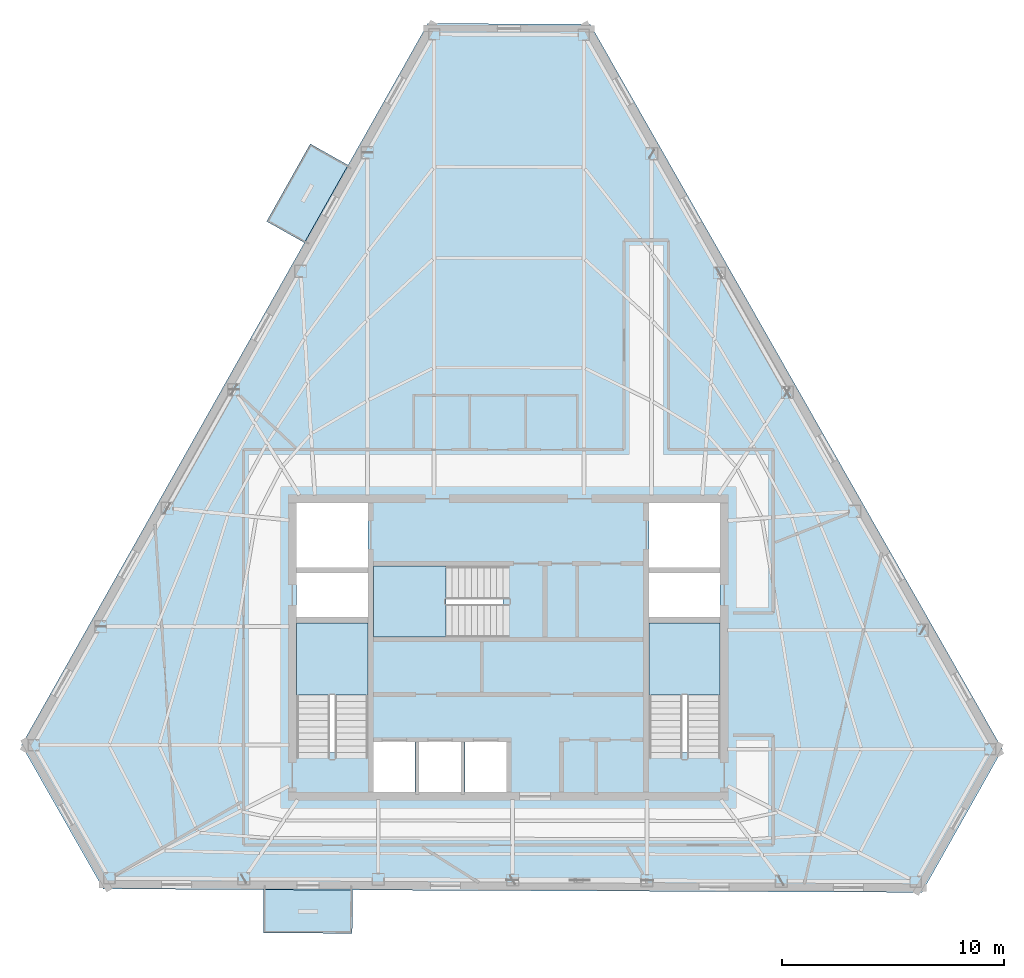
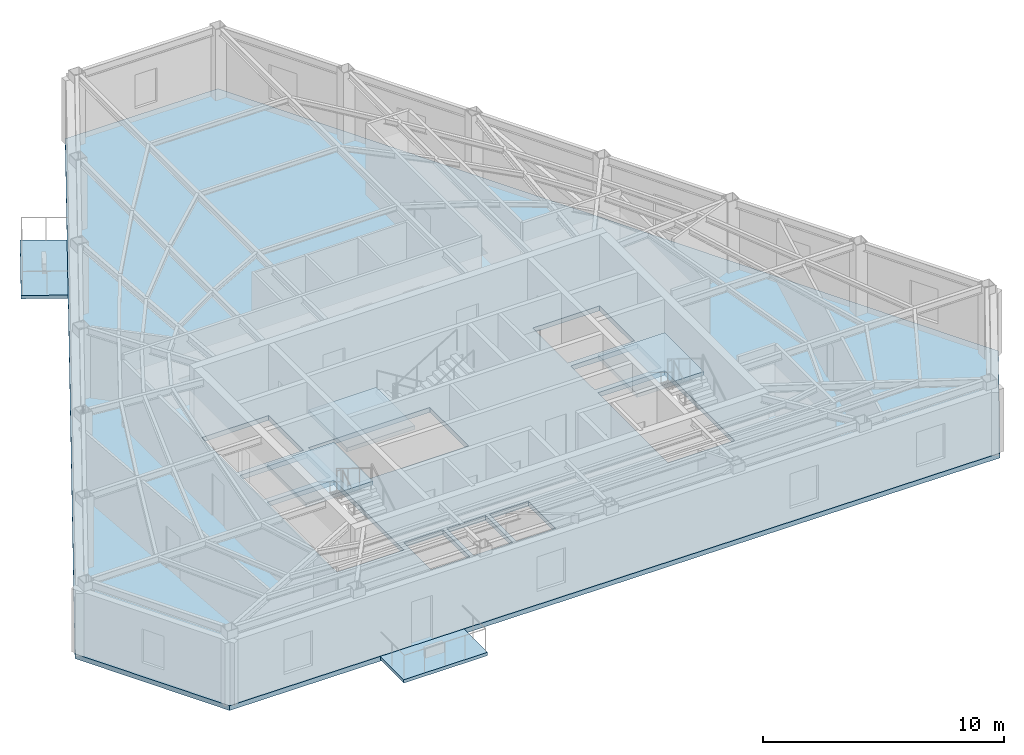
# One storey, part 3 of 10: 6 slabs, 3 elements without a shape of their own.
"""IFC4 building model written with IfcOpenShell, lengths in metres."""

from ifc_helpers import new_model, si_unit, direction, frame, origin, place, context, subcontext, project, spatial, polyline, outline, extrude, material, layer, layer_set, type_object, element, aggregate, save


model = new_model("IFC4")

# Units and contexts
model_context = context("Model", 3, precision=1e-05, world=origin(), true_north=direction((0.0, 1.0)))
body_context = subcontext(model_context, "Body", "Model", "MODEL_VIEW")
ifc_project = project(units=[si_unit("LENGTHUNIT", "METRE"), si_unit("AREAUNIT", "SQUARE_METRE"), si_unit("VOLUMEUNIT", "CUBIC_METRE"), si_unit("PLANEANGLEUNIT", "RADIAN"), si_unit("MASSUNIT", "GRAM", prefix="KILO")], contexts=[model_context])

# Site, building, storey
site_placement = place(None, origin())
site = spatial("IfcSite", under=ifc_project, at=site_placement, CompositionType="ELEMENT")
building_placement = place(site_placement, origin())
building = spatial("IfcBuilding", under=site, at=building_placement, Name="Kavelnor Concourse Tower", CompositionType="ELEMENT")
storey_placement = place(building_placement, frame((0.0, 0.0, 239.5)))
storey = spatial("IfcBuildingStorey", under=building, at=storey_placement, Name="L60", CompositionType="ELEMENT", Elevation=239.5)

# Slabs
ifc_material = material(Name="Concrete C40/50", Category="concrete")
ifc_layer_1 = layer(ifc_material, 0.169921875, Name="Concrete C40/50")
ifc_layer_set_1 = layer_set([ifc_layer_1], Name="Concrete C40/50")
slab_type_1 = type_object("IfcSlabType", Name="SLB-BALCONY-170", PredefinedType="FLOOR", material=ifc_layer_set_1)
slab_1_placement = place(storey_placement, frame((0.0, 0.0, -0.169921875)))
element("IfcSlab", 1, at=slab_1_placement, inside=storey, type_object=slab_type_1, Name="L60 Cantilevered Tree Balcony Slab 1", PredefinedType="FLOOR", context=body_context, shape_type="SweptSolid", body=[
    extrude(outline(polyline([(27.130615234375, 35.25048828125), (29.09326171875, 38.736083984375), (30.792236328125, 37.779296875), (28.829833984375, 34.293701171875), (27.130615234375, 35.25048828125)])), origin(), (0.0, 0.0, 1.0), 0.169921875),
])
slab_2_placement = place(storey_placement, frame((0.0, 0.0, -0.169921875)))
element("IfcSlab", 2, at=slab_2_placement, inside=storey, type_object=slab_type_1, Name="L60 Cantilevered Tree Balcony Slab 2", PredefinedType="FLOOR", context=body_context, shape_type="SweptSolid", body=[
    extrude(outline(polyline([(30.978759765625, 3.2431640625), (26.97900390625, 3.260009765625), (26.987060546875, 5.2099609375), (30.987060546875, 5.193115234375), (30.978759765625, 3.2431640625)])), origin(), (0.0, 0.0, 1.0), 0.169921875),
])

# Stair, slab
stair_type = type_object("IfcStairType", Name="STR-CORE-1500", PredefinedType="HALF_TURN_STAIR", material=ifc_material)
stair_1_placement = place(storey_placement, origin())
stair_1 = element("IfcStair", 3, at=stair_1_placement, inside=storey, type_object=stair_type, Name="L60 ST1", PredefinedType="HALF_TURN_STAIR")
ifc_layer_2 = layer(ifc_material, 0.199951171875, Name="Concrete C40/50")
ifc_layer_set_2 = layer_set([ifc_layer_2], Name="Concrete C40/50")
slab_type_2 = type_object("IfcSlabType", Name="SLB-LANDING-200", PredefinedType="LANDING", material=ifc_layer_set_2)
slab_3_placement = place(storey_placement, frame((0.0, 0.0, 1.72509765625)))
slab_3 = element("IfcSlab", 4, at=slab_3_placement, type_object=slab_type_2, Name="ST1 landing 1", PredefinedType="LANDING", context=body_context, shape_type="SweptSolid", body=[
    extrude(outline(polyline([(31.679931640625, 13.949951171875), (31.679931640625, 17.199951171875), (28.47998046875, 17.199951171875), (28.47998046875, 13.949951171875), (31.679931640625, 13.949951171875)])), origin(), (0.0, 0.0, 1.0), 0.199951171875),
])
aggregate(stair_1, [slab_3])

stair_2_placement = place(storey_placement, origin())
stair_2 = element("IfcStair", 5, at=stair_2_placement, inside=storey, type_object=stair_type, Name="L60 ST2", PredefinedType="HALF_TURN_STAIR")
slab_4_placement = place(storey_placement, frame((0.0, 0.0, 1.72509765625)))
slab_4 = element("IfcSlab", 6, at=slab_4_placement, type_object=slab_type_2, Name="ST2 landing 1", PredefinedType="LANDING", context=body_context, shape_type="SweptSolid", body=[
    extrude(outline(polyline([(47.52001953125, 13.949951171875), (47.52001953125, 17.199951171875), (44.320068359375, 17.199951171875), (44.320068359375, 13.949951171875), (47.52001953125, 13.949951171875)])), origin(), (0.0, 0.0, 1.0), 0.199951171875),
])
aggregate(stair_2, [slab_4])

stair_3_placement = place(storey_placement, origin())
stair_3 = element("IfcStair", 7, at=stair_3_placement, inside=storey, type_object=stair_type, Name="L60 ST3", PredefinedType="HALF_TURN_STAIR")
slab_5_placement = place(storey_placement, frame((0.0, 0.0, 1.72509765625)))
slab_5 = element("IfcSlab", 8, at=slab_5_placement, type_object=slab_type_2, Name="ST3 landing 1", PredefinedType="LANDING", context=body_context, shape_type="SweptSolid", body=[
    extrude(outline(polyline([(35.18994140625, 19.760009765625), (31.93994140625, 19.760009765625), (31.93994140625, 16.56005859375), (35.18994140625, 16.56005859375), (35.18994140625, 19.760009765625)])), origin(), (0.0, 0.0, 1.0), 0.199951171875),
])
aggregate(stair_3, [slab_5])

# Slab
ifc_layer_3 = layer(ifc_material, 0.239990234375, Name="Concrete C40/50")
ifc_layer_set_3 = layer_set([ifc_layer_3], Name="Concrete C40/50")
slab_type_3 = type_object("IfcSlabType", Name="SLB-OFFICE-240", PredefinedType="FLOOR", material=ifc_layer_set_3)
slab_6_placement = place(storey_placement, frame((0.0, 0.0, -0.239990234375)))
element("IfcSlab", 9, at=slab_6_placement, inside=storey, type_object=slab_type_3, Name="L60 Composite Structural Floor Slab", PredefinedType="FLOOR", context=body_context, shape_type="SweptSolid", body=[
    extrude(outline(polyline([(41.675537109375, 44.116455078125), (34.377685546875, 44.147216796875), (16.111083984375, 11.704345703125), (19.78662109375, 5.240478515625), (56.5888671875, 5.085205078125), (60.2109375, 11.5185546875), (41.675537109375, 44.116455078125)]), holes=[polyline([(28.47998046875, 11.3798828125), (31.679931640625, 11.3798828125), (31.679931640625, 17.199951171875), (28.47998046875, 17.199951171875), (28.47998046875, 11.3798828125)]), polyline([(44.320068359375, 11.3798828125), (47.52001953125, 11.3798828125), (47.52001953125, 17.199951171875), (44.320068359375, 17.199951171875), (44.320068359375, 11.3798828125)]), polyline([(31.93994140625, 16.56005859375), (37.760009765625, 16.56005859375), (37.760009765625, 19.760009765625), (31.93994140625, 19.760009765625), (31.93994140625, 16.56005859375)]), polyline([(28.47998046875, 19.699951171875), (31.679931640625, 19.699951171875), (31.679931640625, 22.60009765625), (28.47998046875, 22.60009765625), (28.47998046875, 19.699951171875)]), polyline([(44.320068359375, 19.699951171875), (47.52001953125, 19.699951171875), (47.52001953125, 22.60009765625), (44.320068359375, 22.60009765625), (44.320068359375, 19.699951171875)]), polyline([(31.93994140625, 9.60009765625), (33.81005859375, 9.60009765625), (33.81005859375, 11.840087890625), (31.93994140625, 11.840087890625), (31.93994140625, 9.60009765625)]), polyline([(33.989990234375, 9.60009765625), (35.860107421875, 9.60009765625), (35.860107421875, 11.840087890625), (33.989990234375, 11.840087890625), (33.989990234375, 9.60009765625)]), polyline([(36.0400390625, 9.60009765625), (37.909912109375, 9.60009765625), (37.909912109375, 11.840087890625), (36.0400390625, 11.840087890625), (36.0400390625, 9.60009765625)]), polyline([(28.47998046875, 17.4599609375), (31.679931640625, 17.4599609375), (31.679931640625, 19.43994140625), (28.47998046875, 19.43994140625), (28.47998046875, 17.4599609375)]), polyline([(44.320068359375, 17.4599609375), (47.52001953125, 17.4599609375), (47.52001953125, 19.43994140625), (44.320068359375, 19.43994140625), (44.320068359375, 17.4599609375)])]), origin(), (0.0, 0.0, 1.0), 0.239990234375),
])

save(model, "model.ifc")
